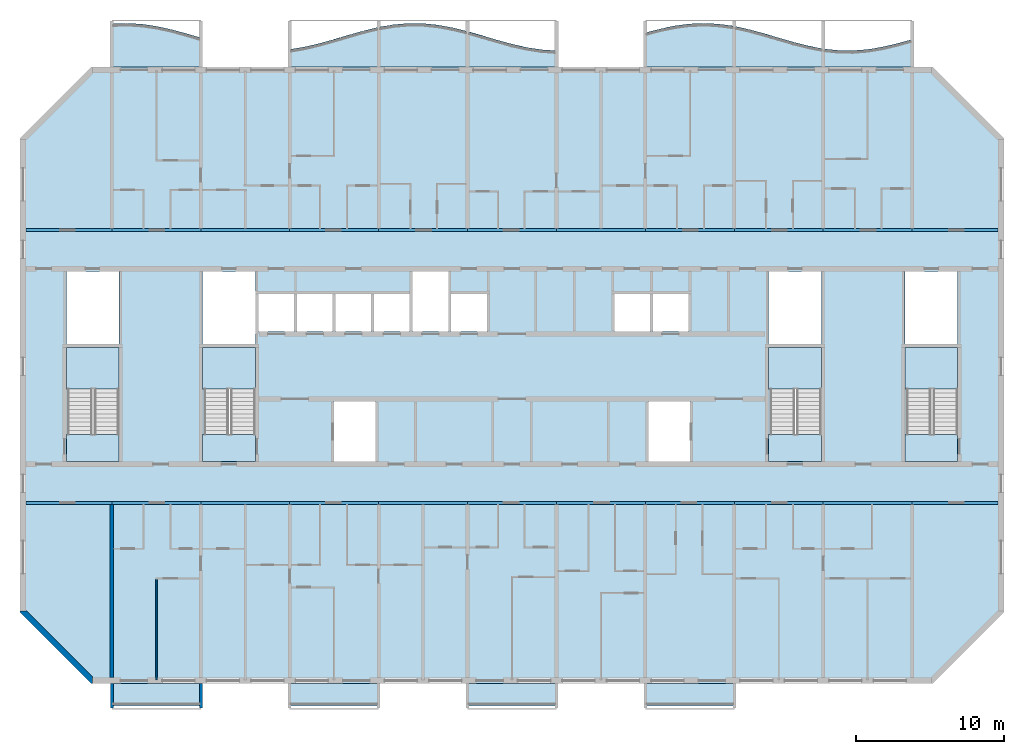
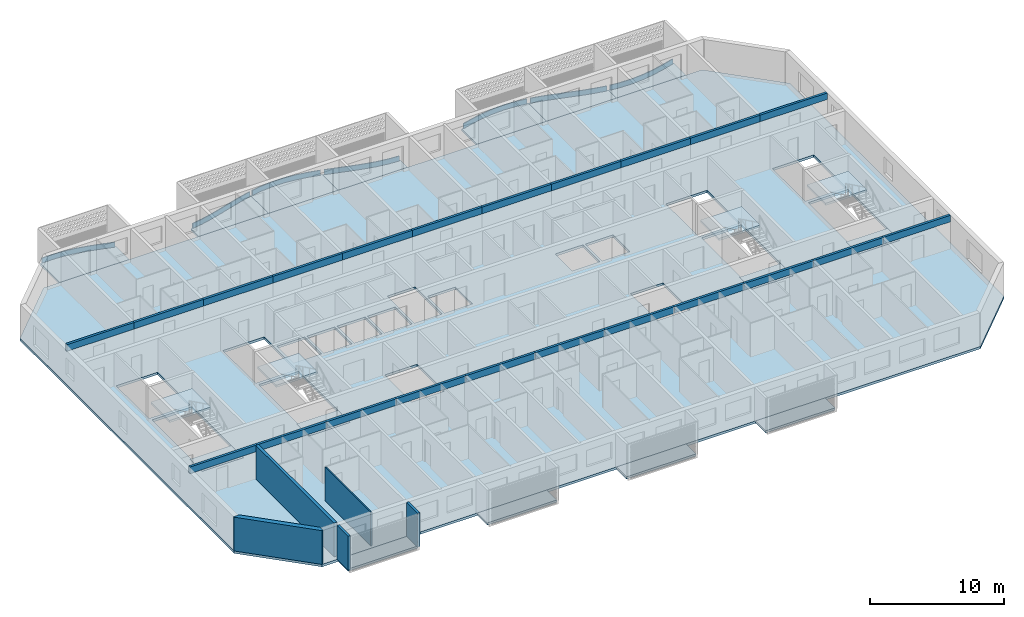
# One storey, part 1 of 29: 22 beams, 20 slabs, 7 plates, 5 walls, 4 elements without a shape of their own.
"""IFC4 building model written with IfcOpenShell, lengths in metres."""

import ifcopenshell
import ifcopenshell.guid

model = None  # the IFC model being written
_history = None  # IfcOwnerHistory: only IFC2X3 demands one
_inside = {}  # id of a spatial element -> (the spatial element, [elements in it])
_under = {}  # id of a project, library or spatial element -> (it, [spatial elements below it])
_declared = {}  # id of a project -> (the project, [libraries it declares])
_typed = {}  # id of a type object -> (the type object, [elements of that type])
_made_of = {}  # id of a material, layer set ... -> (it, [elements and type objects made of it])


def new_model(schema):
    """Start an empty IFC model of exactly this schema.

    Asked for "IFC4X3", IfcOpenShell would pick the latest addendum, in which some entities
    have other attributes; the version numbers below select the first issue.
    IFC2X3 requires an IfcOwnerHistory on every rooted entity: one is made here for all.
    """
    global model, _history
    if schema == "IFC4X3":
        model = ifcopenshell.file(schema_version=(4, 3, 0, 0))
    else:
        model = ifcopenshell.file(schema=schema)
    _inside.clear()
    _under.clear()
    _declared.clear()
    _typed.clear()
    _made_of.clear()
    _history = None
    if model.schema == "IFC2X3":
        org = make("IfcOrganization", Name="unknown")
        user = make(
            "IfcPersonAndOrganization",
            ThePerson=make("IfcPerson", FamilyName="unknown"),
            TheOrganization=org,
        )
        app = make(
            "IfcApplication",
            ApplicationDeveloper=org,
            Version="unknown",
            ApplicationFullName="unknown",
            ApplicationIdentifier="unknown",
        )
        _history = make(
            "IfcOwnerHistory",
            OwningUser=user,
            OwningApplication=app,
            ChangeAction="ADDED",
            CreationDate=0,
        )
    return model


def make(cls, **values):
    """One entity of the class cls with the attributes given. An attribute that is None is left unset."""
    return model.create_entity(
        cls, **{name: value for name, value in values.items() if value is not None}
    )


def rooted(cls, **values):
    """An entity with a GlobalId (a new one), such as an element, a storey or a relation."""
    return make(cls, GlobalId=ifcopenshell.guid.new(), OwnerHistory=_history, **values)


def si_unit(unit_type, name, prefix=None):
    """IfcSIUnit, for example si_unit("LENGTHUNIT", "METRE", prefix="MILLI")."""
    return make("IfcSIUnit", UnitType=unit_type, Prefix=prefix, Name=name)


def assignment(units):
    """IfcUnitAssignment: the units of a project."""
    return None if units is None else make("IfcUnitAssignment", Units=units)


def point(xyz):
    """IfcCartesianPoint."""
    return None if xyz is None else make("IfcCartesianPoint", Coordinates=xyz)


def direction(xyz):
    """IfcDirection."""
    return None if xyz is None else make("IfcDirection", DirectionRatios=xyz)


def frame(location, z_axis=None, x_axis=None):
    """IfcAxis2Placement3D, a coordinate frame: its origin and axes. An axis left out is left unset."""
    return make(
        "IfcAxis2Placement3D",
        Location=point(location),
        Axis=direction(z_axis),
        RefDirection=direction(x_axis),
    )


def frame_2d(location, x_axis=None):
    """IfcAxis2Placement2D, a coordinate frame in the plane: its origin and x axis."""
    return make(
        "IfcAxis2Placement2D", Location=point(location), RefDirection=direction(x_axis)
    )


def origin():
    """The frame at (0, 0, 0) with its axes left unset."""
    return frame((0.0, 0.0, 0.0))


def origin_2d():
    """The frame at (0, 0) in the plane with its x axis left unset."""
    return frame_2d((0.0, 0.0))


def place(relative_to, where):
    """IfcLocalPlacement: puts the frame where relative to a parent placement (None: the world)."""
    return make(
        "IfcLocalPlacement", PlacementRelTo=relative_to, RelativePlacement=where
    )


def context(
    kind, dimensions, precision=None, world=None, true_north=None, identifier=None
):
    """IfcGeometricRepresentationContext, for example the 3D "Model" context."""
    return make(
        "IfcGeometricRepresentationContext",
        ContextIdentifier=identifier,
        ContextType=kind,
        CoordinateSpaceDimension=dimensions,
        Precision=precision,
        WorldCoordinateSystem=world,
        TrueNorth=true_north,
    )


def subcontext(parent, identifier, kind, view, scale=None):
    """IfcGeometricRepresentationSubContext, for example "Body" below "Model"."""
    return make(
        "IfcGeometricRepresentationSubContext",
        ContextIdentifier=identifier,
        ContextType=kind,
        ParentContext=parent,
        TargetScale=scale,
        TargetView=view,
    )


def project(units=None, contexts=None):
    """IfcProject with its units and contexts."""
    return rooted(
        "IfcProject",
        Name="project",
        RepresentationContexts=contexts,
        UnitsInContext=assignment(units),
    )


def spatial(cls, under=None, at=None, **own):
    """A site, building, storey or space (cls), placed at a placement, below another one or the project."""
    s = rooted(cls, ObjectPlacement=at, **own)
    if under is not None:
        _under.setdefault(under.id(), (under, []))[1].append(s)
    return s


def polyline(points):
    """IfcPolyline through the points."""
    return make("IfcPolyline", Points=[point(p) for p in points])


def profile(cls, at=None, kind="AREA", **sizes):
    """A parametric profile (cls). Its sizes go by their IFC names, for example OverallWidth=200.0."""
    return make(cls, ProfileType=kind, Position=at, **sizes)


def rectangle(**sizes):
    """IfcRectangleProfileDef."""
    return profile("IfcRectangleProfileDef", **sizes)


def outline(outer, holes=None, kind="AREA"):
    """IfcArbitraryClosedProfileDef: a profile drawn as a closed curve; with holes, ...WithVoids."""
    if holes is None:
        return make("IfcArbitraryClosedProfileDef", ProfileType=kind, OuterCurve=outer)
    return make(
        "IfcArbitraryProfileDefWithVoids",
        ProfileType=kind,
        OuterCurve=outer,
        InnerCurves=holes,
    )


def extrude(swept, where, along, depth):
    """IfcExtrudedAreaSolid: the profile swept, set in the frame where, extruded along a direction by depth."""
    return make(
        "IfcExtrudedAreaSolid",
        SweptArea=swept,
        Position=where,
        ExtrudedDirection=direction(along),
        Depth=depth,
    )


def shape(context_of_items, identifier, shape_type, items):
    """IfcShapeRepresentation: the items that make up one representation, for example the "Body"."""
    return make(
        "IfcShapeRepresentation",
        ContextOfItems=context_of_items,
        RepresentationIdentifier=identifier,
        RepresentationType=shape_type,
        Items=items,
    )


def source(mapping_origin, context_of_items, identifier, shape_type, items):
    """IfcRepresentationMap: a shape defined once, which mapped items show again and again."""
    return make(
        "IfcRepresentationMap",
        MappingOrigin=mapping_origin,
        MappedRepresentation=shape(context_of_items, identifier, shape_type, items),
    )


def transform(
    local_origin,
    x_axis=None,
    y_axis=None,
    z_axis=None,
    scale=None,
    scale2=None,
    scale3=None,
    uniform=True,
):
    """IfcCartesianTransformationOperator3D, or its non-uniform kind. x_axis, y_axis, z_axis: its Axis1, 2, 3."""
    if uniform:
        return make(
            "IfcCartesianTransformationOperator3D",
            Axis1=direction(x_axis),
            Axis2=direction(y_axis),
            LocalOrigin=point(local_origin),
            Scale=scale,
            Axis3=direction(z_axis),
        )
    return make(
        "IfcCartesianTransformationOperator3DnonUniform",
        Axis1=direction(x_axis),
        Axis2=direction(y_axis),
        LocalOrigin=point(local_origin),
        Scale=scale,
        Axis3=direction(z_axis),
        Scale2=scale2,
        Scale3=scale3,
    )


def mapped(mapping_source, mapping_target):
    """IfcMappedItem: shows the shape of a source again, moved by a transform."""
    return make(
        "IfcMappedItem", MappingSource=mapping_source, MappingTarget=mapping_target
    )


def material(Name=None, Category=None):
    """IfcMaterial."""
    return make("IfcMaterial", Name=Name, Category=Category)


def layer(
    of_material, thickness, ventilated=None, Name=None, Category=None, Priority=None
):
    """IfcMaterialLayer: one layer of a wall or slab, of a material (None: an air gap)."""
    return make(
        "IfcMaterialLayer",
        Material=of_material,
        LayerThickness=thickness,
        IsVentilated=ventilated,
        Name=Name,
        Category=Category,
        Priority=Priority,
    )


def layer_set(layers, Name=None):
    """IfcMaterialLayerSet."""
    return make("IfcMaterialLayerSet", MaterialLayers=layers, LayerSetName=Name)


def material_profile(
    of_material, cross_section, Name=None, Category=None, Priority=None
):
    """IfcMaterialProfile: a cross section and its material."""
    return make(
        "IfcMaterialProfile",
        Name=Name,
        Material=of_material,
        Profile=cross_section,
        Priority=Priority,
        Category=Category,
    )


def profile_set(profiles, Name=None, composite=None):
    """IfcMaterialProfileSet."""
    return make(
        "IfcMaterialProfileSet",
        Name=Name,
        MaterialProfiles=profiles,
        CompositeProfile=composite,
    )


def made_of(thing, what):
    """Note that an element or type object is made of a material, layer set ...; save() writes the relation."""
    if what is not None:
        _made_of.setdefault(what.id(), (what, []))[1].append(thing)
    return thing


def type_object(cls, material=None, **own):
    """A type object (cls), such as IfcWallType, which elements share."""
    return made_of(rooted(cls, **own), material)


def element(
    cls,
    number,
    at=None,
    inside=None,
    cuts=None,
    type_object=None,
    material=None,
    context=None,
    identifier="Body",
    shape_type=None,
    held_by="IfcProductDefinitionShape",
    body=None,
    shapes=None,
    **own,
):
    """One element of the class cls, such as IfcWall. Its Tag is "e" and its number.

    at: its placement. inside: the storey or other place that contains it. cuts: it is an
    opening in that element (IfcRelVoidsElement). A single representation is given by context,
    identifier, shape_type and body (its items); several are given by shapes. held_by: the class
    of the entity that holds the representations. save() writes the other relations.
    """
    e = rooted(cls, Tag="e%d" % number, ObjectPlacement=at, **own)
    if body is not None:
        shapes = [shape(context, identifier, shape_type, body)]
    if shapes is not None:
        e.Representation = make(held_by, Representations=shapes)
    if inside is not None:
        _inside.setdefault(inside.id(), (inside, []))[1].append(e)
    if cuts is not None:
        rooted(
            "IfcRelVoidsElement", RelatingBuildingElement=cuts, RelatedOpeningElement=e
        )
    if type_object is not None:
        _typed.setdefault(type_object.id(), (type_object, []))[1].append(e)
    return made_of(e, material)


def aggregate(whole, parts):
    """IfcRelAggregates: a whole, such as a stair, and the parts it consists of."""
    return rooted("IfcRelAggregates", RelatingObject=whole, RelatedObjects=parts)


def save(model, path):
    """Write the relations noted so far, then the file.

    IfcRelAggregates (storeys below a building ...), IfcRelContainedInSpatialStructure (elements
    in a storey), IfcRelDefinesByType, IfcRelAssociatesMaterial and IfcRelDeclares: one each for
    every whole, place, type object, material and project.
    """
    for whole, parts in _under.values():
        aggregate(whole, parts)
    for where, things in _inside.values():
        rooted(
            "IfcRelContainedInSpatialStructure",
            RelatedElements=things,
            RelatingStructure=where,
        )
    for kind, things in _typed.values():
        rooted("IfcRelDefinesByType", RelatedObjects=things, RelatingType=kind)
    for what, things in _made_of.values():
        rooted("IfcRelAssociatesMaterial", RelatedObjects=things, RelatingMaterial=what)
    for by, libraries in _declared.values():
        rooted("IfcRelDeclares", RelatingContext=by, RelatedDefinitions=libraries)
    model.write(path)


model = new_model("IFC4")

# Units and contexts
model_context = context("Model", 3, precision=1e-05, world=origin(), true_north=direction((0.0, 1.0)))
body_context = subcontext(model_context, "Body", "Model", "MODEL_VIEW")
ifc_project = project(units=[si_unit("LENGTHUNIT", "METRE"), si_unit("AREAUNIT", "SQUARE_METRE"), si_unit("VOLUMEUNIT", "CUBIC_METRE"), si_unit("PLANEANGLEUNIT", "RADIAN"), si_unit("MASSUNIT", "GRAM", prefix="KILO")], contexts=[model_context])

# Site, building, storey
site_placement = place(None, origin())
site = spatial("IfcSite", under=ifc_project, at=site_placement, CompositionType="ELEMENT")
building_placement = place(site_placement, origin())
building = spatial("IfcBuilding", under=site, at=building_placement, Name="Poui Terraces", CompositionType="ELEMENT")
storey_placement = place(building_placement, frame((0.0, 0.0, 237.89990234375)))
storey = spatial("IfcBuildingStorey", under=building, at=storey_placement, Name="L66", CompositionType="ELEMENT", Elevation=237.89990234375)

# Beams
ifc_material_1 = material(Name="Concrete 50 MPa", Category="concrete")
ifc_material_profile = material_profile(ifc_material_1, rectangle(XDim=0.199951171875, YDim=0.60009765625, at=origin_2d()), Name="RC 200x600")
ifc_profile_set = profile_set([ifc_material_profile], Name="Concrete 50 MPa")
beam_type = type_object("IfcBeamType", Name="COUPLING BEAM 200x600 50MPa", PredefinedType="BEAM", material=ifc_profile_set)
shared_shape_1 = source(origin(), body_context, "Body", "SweptSolid", [
    extrude(rectangle(XDim=0.199951171875, YDim=0.60009765625, at=origin_2d()), origin(), (0.0, 0.0, 1.0), 5.800048828125),
])
for number, where, z_axis, x_axis, name in (
    (1, (18.199951171875, 12.0, 2.780029296875), (1.0, 0.0, 0.0), (0.0, 1.0, 0.0), "COUPLING BEAM LINE B BAY 1"),
    (2, (78.0, 12.0, 2.780029296875), (1.0, 0.0, 0.0), (0.0, 1.0, 0.0), "COUPLING BEAM LINE B BAY 11"),
    (3, (18.199951171875, 30.39990234375, 2.780029296875), (1.0, 0.0, 0.0), (0.0, 1.0, 0.0), "COUPLING BEAM LINE E BAY 1"),
    (4, (78.0, 30.39990234375, 2.780029296875), (1.0, 0.0, 0.0), (0.0, 1.0, 0.0), "COUPLING BEAM LINE E BAY 11"),
):
    element("IfcBeam", number, at=place(storey_placement, frame(where, z_axis=z_axis, x_axis=x_axis)), inside=storey, type_object=beam_type, Name=name, PredefinedType="BEAM", context=body_context, shape_type="MappedRepresentation", body=[
        mapped(shared_shape_1, transform((0.0, 0.0, 0.0))),
    ])
shared_shape_2 = source(origin(), body_context, "Body", "SweptSolid", [
    extrude(rectangle(XDim=0.199951171875, YDim=0.60009765625, at=origin_2d()), origin(), (0.0, 0.0, 1.0), 6.0),
])
for number, where, z_axis, x_axis, name in (
    (5, (24.0, 12.0, 2.780029296875), (1.0, 0.0, 0.0), (0.0, 1.0, 0.0), "COUPLING BEAM LINE B BAY 2"),
    (6, (30.0, 12.0, 2.780029296875), (1.0, 0.0, 0.0), (0.0, 1.0, 0.0), "COUPLING BEAM LINE B BAY 3"),
    (7, (36.0, 12.0, 2.780029296875), (1.0, 0.0, 0.0), (0.0, 1.0, 0.0), "COUPLING BEAM LINE B BAY 4"),
    (8, (42.0, 12.0, 2.780029296875), (1.0, 0.0, 0.0), (0.0, 1.0, 0.0), "COUPLING BEAM LINE B BAY 5"),
    (9, (48.0, 12.0, 2.780029296875), (1.0, 0.0, 0.0), (0.0, 1.0, 0.0), "COUPLING BEAM LINE B BAY 6"),
    (10, (54.0, 12.0, 2.780029296875), (1.0, 0.0, 0.0), (0.0, 1.0, 0.0), "COUPLING BEAM LINE B BAY 7"),
    (11, (60.0, 12.0, 2.780029296875), (1.0, 0.0, 0.0), (0.0, 1.0, 0.0), "COUPLING BEAM LINE B BAY 8"),
    (12, (66.0, 12.0, 2.780029296875), (1.0, 0.0, 0.0), (0.0, 1.0, 0.0), "COUPLING BEAM LINE B BAY 9"),
    (13, (72.0, 12.0, 2.780029296875), (1.0, 0.0, 0.0), (0.0, 1.0, 0.0), "COUPLING BEAM LINE B BAY 10"),
    (14, (24.0, 30.39990234375, 2.780029296875), (1.0, 0.0, 0.0), (0.0, 1.0, 0.0), "COUPLING BEAM LINE E BAY 2"),
    (15, (30.0, 30.39990234375, 2.780029296875), (1.0, 0.0, 0.0), (0.0, 1.0, 0.0), "COUPLING BEAM LINE E BAY 3"),
    (16, (36.0, 30.39990234375, 2.780029296875), (1.0, 0.0, 0.0), (0.0, 1.0, 0.0), "COUPLING BEAM LINE E BAY 4"),
    (17, (42.0, 30.39990234375, 2.780029296875), (1.0, 0.0, 0.0), (0.0, 1.0, 0.0), "COUPLING BEAM LINE E BAY 5"),
    (18, (48.0, 30.39990234375, 2.780029296875), (1.0, 0.0, 0.0), (0.0, 1.0, 0.0), "COUPLING BEAM LINE E BAY 6"),
    (19, (54.0, 30.39990234375, 2.780029296875), (1.0, 0.0, 0.0), (0.0, 1.0, 0.0), "COUPLING BEAM LINE E BAY 7"),
    (20, (60.0, 30.39990234375, 2.780029296875), (1.0, 0.0, 0.0), (0.0, 1.0, 0.0), "COUPLING BEAM LINE E BAY 8"),
    (21, (66.0, 30.39990234375, 2.780029296875), (1.0, 0.0, 0.0), (0.0, 1.0, 0.0), "COUPLING BEAM LINE E BAY 9"),
    (22, (72.0, 30.39990234375, 2.780029296875), (1.0, 0.0, 0.0), (0.0, 1.0, 0.0), "COUPLING BEAM LINE E BAY 10"),
):
    element("IfcBeam", number, at=place(storey_placement, frame(where, z_axis=z_axis, x_axis=x_axis)), inside=storey, type_object=beam_type, Name=name, PredefinedType="BEAM", context=body_context, shape_type="MappedRepresentation", body=[
        mapped(shared_shape_2, transform((0.0, 0.0, 0.0))),
    ])

# Slabs
ifc_material_2 = material(Name="Precast concrete 40 MPa", Category="concrete")
ifc_layer_1 = layer(ifc_material_2, 0.199951171875)
ifc_layer_set_1 = layer_set([ifc_layer_1], Name="Precast concrete 40 MPa")
slab_type_1 = type_object("IfcSlabType", Name="BALCONY SLAB 200", PredefinedType="FLOOR", material=ifc_layer_set_1)
slab_1_placement = place(storey_placement, frame((0.0, 0.0, -0.199951171875)))
element("IfcSlab", 23, at=slab_1_placement, inside=storey, type_object=slab_type_1, Name="BALCONY SLAB", PredefinedType="FLOOR", context=body_context, shape_type="SweptSolid", body=[
    extrude(outline(polyline([(24.0, 41.39990234375), (30.0, 41.39990234375), (30.0, 43.363037109375), (29.0, 43.658447265625), (28.0, 43.9296875), (27.0, 44.1494140625), (26.0, 44.294189453125), (25.0, 44.349609375), (24.0, 44.309814453125), (24.0, 41.39990234375)])), origin(), (0.0, 0.0, 1.0), 0.199951171875),
])
slab_2_placement = place(storey_placement, frame((0.0, 0.0, -0.199951171875)))
element("IfcSlab", 24, at=slab_2_placement, inside=storey, type_object=slab_type_1, Name="BALCONY SLAB", PredefinedType="FLOOR", context=body_context, shape_type="SweptSolid", body=[
    extrude(outline(polyline([(36.0, 41.39990234375), (42.0, 41.39990234375), (42.0, 44.08349609375), (41.0, 43.84375), (40.0, 43.56103515625), (39.0, 43.264404296875), (38.0, 42.984130859375), (37.0, 42.749267578125), (36.0, 42.583984375), (36.0, 41.39990234375)])), origin(), (0.0, 0.0, 1.0), 0.199951171875),
])
slab_3_placement = place(storey_placement, frame((0.0, 0.0, -0.199951171875)))
element("IfcSlab", 25, at=slab_3_placement, inside=storey, type_object=slab_type_1, Name="BALCONY SLAB", PredefinedType="FLOOR", context=body_context, shape_type="SweptSolid", body=[
    extrude(outline(polyline([(42.0, 41.39990234375), (48.0, 41.39990234375), (48.0, 43.799072265625), (47.0, 44.047607421875), (46.0, 44.232177734375), (45.0, 44.333740234375), (44.0, 44.341796875), (43.0, 44.25537109375), (42.0, 44.08349609375), (42.0, 41.39990234375)])), origin(), (0.0, 0.0, 1.0), 0.199951171875),
])
slab_4_placement = place(storey_placement, frame((0.0, 0.0, -0.199951171875)))
element("IfcSlab", 26, at=slab_4_placement, inside=storey, type_object=slab_type_1, Name="BALCONY SLAB", PredefinedType="FLOOR", context=body_context, shape_type="SweptSolid", body=[
    extrude(outline(polyline([(48.0, 41.39990234375), (54.0, 41.39990234375), (54.0, 42.501220703125), (53.0, 42.564697265625), (52.0, 42.71630859375), (51.0, 42.941162109375), (50.0, 43.2158203125), (49.0, 43.51171875), (48.0, 43.799072265625), (48.0, 41.39990234375)])), origin(), (0.0, 0.0, 1.0), 0.199951171875),
])
slab_5_placement = place(storey_placement, frame((0.0, 0.0, -0.199951171875)))
element("IfcSlab", 27, at=slab_5_placement, inside=storey, type_object=slab_type_1, Name="BALCONY SLAB", PredefinedType="FLOOR", context=body_context, shape_type="SweptSolid", body=[
    extrude(outline(polyline([(60.0, 41.39990234375), (66.0, 41.39990234375), (66.0, 44.1494140625), (65.0, 44.294189453125), (64.0, 44.349609375), (63.0, 44.309814453125), (62.0, 44.17919921875), (61.0, 43.970703125), (60.0, 43.7060546875), (60.0, 41.39990234375)])), origin(), (0.0, 0.0, 1.0), 0.199951171875),
])
slab_6_placement = place(storey_placement, frame((0.0, 0.0, -0.199951171875)))
element("IfcSlab", 28, at=slab_6_placement, inside=storey, type_object=slab_type_1, Name="BALCONY SLAB", PredefinedType="FLOOR", context=body_context, shape_type="SweptSolid", body=[
    extrude(outline(polyline([(66.0, 41.39990234375), (72.0, 41.39990234375), (72.0, 42.630126953125), (71.0, 42.821044921875), (70.0, 43.073974609375), (69.0, 43.363037109375), (68.0, 43.658447265625), (67.0, 43.9296875), (66.0, 44.1494140625), (66.0, 41.39990234375)])), origin(), (0.0, 0.0, 1.0), 0.199951171875),
])
slab_7_placement = place(storey_placement, frame((0.0, 0.0, -0.199951171875)))
element("IfcSlab", 29, at=slab_7_placement, inside=storey, type_object=slab_type_1, Name="BALCONY SLAB", PredefinedType="FLOOR", context=body_context, shape_type="SweptSolid", body=[
    extrude(outline(polyline([(72.0, 41.39990234375), (78.0, 41.39990234375), (78.0, 43.264404296875), (77.0, 42.984130859375), (76.0, 42.749267578125), (75.0, 42.583984375), (74.0, 42.50537109375), (73.0, 42.521240234375), (72.0, 42.630126953125), (72.0, 41.39990234375)])), origin(), (0.0, 0.0, 1.0), 0.199951171875),
])

# Stair, slabs
stair_type = type_object("IfcStairType", Name="EXIT STAIR 1650 50 MPA", PredefinedType="HALF_TURN_STAIR", material=ifc_material_1)
stair_1_placement = place(storey_placement, origin())
stair_1 = element("IfcStair", 30, at=stair_1_placement, inside=storey, type_object=stair_type, Name="L66 CORE STAIR EAST", PredefinedType="HALF_TURN_STAIR")
ifc_layer_2 = layer(ifc_material_1, 0.199951171875)
ifc_layer_set_2 = layer_set([ifc_layer_2], Name="Concrete 50 MPa")
slab_type_2 = type_object("IfcSlabType", Name="STAIR LANDING 200 50 MPA", PredefinedType="LANDING", material=ifc_layer_set_2)
slab_8_placement = place(storey_placement, frame((0.0, 0.0, 1.449951171875)))
slab_8 = element("IfcSlab", 31, at=slab_8_placement, type_object=slab_type_2, Name="ST-CE landing 1", PredefinedType="LANDING", context=body_context, shape_type="SweptSolid", body=[
    extrude(outline(polyline([(68.324951171875, 19.679931640625), (71.875, 19.679931640625), (71.875, 22.47509765625), (68.324951171875, 22.47509765625), (68.324951171875, 19.679931640625)])), origin(), (0.0, 0.0, 1.0), 0.2001953125),
])
slab_9_placement = place(storey_placement, frame((0.0, 0.0, -0.199951171875)))
slab_9 = element("IfcSlab", 32, at=slab_9_placement, type_object=slab_type_2, Name="ST-CE landing 2", PredefinedType="LANDING", context=body_context, shape_type="SweptSolid", body=[
    extrude(outline(polyline([(68.324951171875, 14.77490234375), (71.875, 14.77490234375), (71.875, 16.60009765625), (68.324951171875, 16.60009765625), (68.324951171875, 14.77490234375)])), origin(), (0.0, 0.0, 1.0), 0.199951171875),
])
aggregate(stair_1, [slab_8, slab_9])

stair_2_placement = place(storey_placement, origin())
stair_2 = element("IfcStair", 33, at=stair_2_placement, inside=storey, type_object=stair_type, Name="L66 CORE STAIR WEST", PredefinedType="HALF_TURN_STAIR")
slab_10_placement = place(storey_placement, frame((0.0, 0.0, 1.449951171875)))
slab_10 = element("IfcSlab", 34, at=slab_10_placement, type_object=slab_type_2, Name="ST-CW landing 1", PredefinedType="LANDING", context=body_context, shape_type="SweptSolid", body=[
    extrude(outline(polyline([(30.125, 19.679931640625), (33.675048828125, 19.679931640625), (33.675048828125, 22.47509765625), (30.125, 22.47509765625), (30.125, 19.679931640625)])), origin(), (0.0, 0.0, 1.0), 0.2001953125),
])
slab_11_placement = place(storey_placement, frame((0.0, 0.0, -0.199951171875)))
slab_11 = element("IfcSlab", 35, at=slab_11_placement, type_object=slab_type_2, Name="ST-CW landing 2", PredefinedType="LANDING", context=body_context, shape_type="SweptSolid", body=[
    extrude(outline(polyline([(30.125, 14.77490234375), (33.675048828125, 14.77490234375), (33.675048828125, 16.60009765625), (30.125, 16.60009765625), (30.125, 14.77490234375)])), origin(), (0.0, 0.0, 1.0), 0.199951171875),
])
aggregate(stair_2, [slab_10, slab_11])

stair_3_placement = place(storey_placement, origin())
stair_3 = element("IfcStair", 36, at=stair_3_placement, inside=storey, type_object=stair_type, Name="L66 TIP STAIR EAST", PredefinedType="HALF_TURN_STAIR")
slab_12_placement = place(storey_placement, frame((0.0, 0.0, 1.449951171875)))
slab_12 = element("IfcSlab", 37, at=slab_12_placement, type_object=slab_type_2, Name="ST-E landing 1", PredefinedType="LANDING", context=body_context, shape_type="SweptSolid", body=[
    extrude(outline(polyline([(77.52490234375, 19.679931640625), (81.074951171875, 19.679931640625), (81.074951171875, 22.47509765625), (77.52490234375, 22.47509765625), (77.52490234375, 19.679931640625)])), origin(), (0.0, 0.0, 1.0), 0.2001953125),
])
slab_13_placement = place(storey_placement, frame((0.0, 0.0, -0.199951171875)))
slab_13 = element("IfcSlab", 38, at=slab_13_placement, type_object=slab_type_2, Name="ST-E landing 2", PredefinedType="LANDING", context=body_context, shape_type="SweptSolid", body=[
    extrude(outline(polyline([(77.52490234375, 14.77490234375), (81.074951171875, 14.77490234375), (81.074951171875, 16.60009765625), (77.52490234375, 16.60009765625), (77.52490234375, 14.77490234375)])), origin(), (0.0, 0.0, 1.0), 0.199951171875),
])
aggregate(stair_3, [slab_12, slab_13])

stair_4_placement = place(storey_placement, origin())
stair_4 = element("IfcStair", 39, at=stair_4_placement, inside=storey, type_object=stair_type, Name="L66 TIP STAIR WEST", PredefinedType="HALF_TURN_STAIR")
slab_14_placement = place(storey_placement, frame((0.0, 0.0, 1.449951171875)))
slab_14 = element("IfcSlab", 40, at=slab_14_placement, type_object=slab_type_2, Name="ST-W landing 1", PredefinedType="LANDING", context=body_context, shape_type="SweptSolid", body=[
    extrude(outline(polyline([(20.925048828125, 19.679931640625), (24.47509765625, 19.679931640625), (24.47509765625, 22.47509765625), (20.925048828125, 22.47509765625), (20.925048828125, 19.679931640625)])), origin(), (0.0, 0.0, 1.0), 0.2001953125),
])
slab_15_placement = place(storey_placement, frame((0.0, 0.0, -0.199951171875)))
slab_15 = element("IfcSlab", 41, at=slab_15_placement, type_object=slab_type_2, Name="ST-W landing 2", PredefinedType="LANDING", context=body_context, shape_type="SweptSolid", body=[
    extrude(outline(polyline([(20.925048828125, 14.77490234375), (24.47509765625, 14.77490234375), (24.47509765625, 16.60009765625), (20.925048828125, 16.60009765625), (20.925048828125, 14.77490234375)])), origin(), (0.0, 0.0, 1.0), 0.199951171875),
])
aggregate(stair_4, [slab_14, slab_15])

# Plates
ifc_layer_3 = layer(ifc_material_2, 0.080078125)
ifc_layer_set_3 = layer_set([ifc_layer_3], Name="Precast concrete 40 MPa")
plate_type = type_object("IfcPlateType", Name="SUNSHADE UPSTAND 80", PredefinedType="SHEET", material=ifc_layer_set_3)
plate_1_placement = place(storey_placement, origin())
element("IfcPlate", 42, at=plate_1_placement, inside=storey, type_object=plate_type, Name="SUNSHADE UPSTAND", PredefinedType="SHEET", context=body_context, shape_type="SweptSolid", body=[
    extrude(outline(polyline([(25.00048828125, 44.3447265625), (24.15576171875, 44.316162109375), (24.123779296875, 44.31494140625), (24.12646484375, 44.235107421875), (24.99951171875, 44.2646484375), (25.99609375, 44.20947265625), (26.992919921875, 44.06494140625), (27.990478515625, 43.845947265625), (28.989013671875, 43.574951171875), (29.86376953125, 43.31689453125), (29.88623046875, 43.3935546875), (29.010986328125, 43.65185546875), (28.009521484375, 43.923583984375), (27.007080078125, 44.143798828125), (26.00390625, 44.2890625), (25.00048828125, 44.3447265625)])), origin(), (0.0, 0.0, 1.0), 0.4501953125),
])
plate_2_placement = place(storey_placement, origin())
element("IfcPlate", 43, at=plate_2_placement, inside=storey, type_object=plate_type, Name="SUNSHADE UPSTAND", PredefinedType="SHEET", context=body_context, shape_type="SweptSolid", body=[
    extrude(outline(polyline([(36.9921875, 42.74365234375), (36.118408203125, 42.5947265625), (36.131591796875, 42.515869140625), (37.0078125, 42.6650390625), (38.010009765625, 42.900390625), (39.010986328125, 43.180908203125), (40.010986328125, 43.477783203125), (41.01025390625, 43.760009765625), (41.884521484375, 43.972900390625), (41.865478515625, 44.050537109375), (40.98974609375, 43.83740234375), (39.989013671875, 43.554443359375), (38.989013671875, 43.2578125), (37.989990234375, 42.977783203125), (36.9921875, 42.74365234375)])), origin(), (0.0, 0.0, 1.0), 0.4501953125),
])
plate_3_placement = place(storey_placement, origin())
element("IfcPlate", 44, at=plate_3_placement, inside=storey, type_object=plate_type, Name="SUNSHADE UPSTAND", PredefinedType="SHEET", context=body_context, shape_type="SweptSolid", body=[
    extrude(outline(polyline([(42.9951171875, 44.25), (42.118408203125, 44.103515625), (42.131591796875, 44.024658203125), (43.0048828125, 44.170654296875), (44.001708984375, 44.256591796875), (44.997802734375, 44.248779296875), (45.994384765625, 44.147705078125), (46.99169921875, 43.96337890625), (47.865478515625, 43.748779296875), (47.884521484375, 43.82666015625), (47.00830078125, 44.041748046875), (46.005615234375, 44.226806640625), (45.002197265625, 44.32861328125), (43.998291015625, 44.336669921875), (42.9951171875, 44.25)])), origin(), (0.0, 0.0, 1.0), 0.4501953125),
])
plate_4_placement = place(storey_placement, origin())
element("IfcPlate", 45, at=plate_4_placement, inside=storey, type_object=plate_type, Name="SUNSHADE UPSTAND", PredefinedType="SHEET", context=body_context, shape_type="SweptSolid", body=[
    extrude(outline(polyline([(49.01123046875, 43.505126953125), (48.135986328125, 43.758056640625), (48.114013671875, 43.68115234375), (48.98876953125, 43.428466796875), (49.989013671875, 43.132080078125), (50.990234375, 42.857421875), (51.99267578125, 42.632080078125), (52.99560546875, 42.479736328125), (53.872314453125, 42.419189453125), (53.877685546875, 42.4990234375), (53.00439453125, 42.559326171875), (52.00732421875, 42.710693359375), (51.009765625, 42.93505859375), (50.010986328125, 43.209228515625), (49.01123046875, 43.505126953125)])), origin(), (0.0, 0.0, 1.0), 0.4501953125),
])
plate_5_placement = place(storey_placement, origin())
element("IfcPlate", 46, at=plate_5_placement, inside=storey, type_object=plate_type, Name="SUNSHADE UPSTAND", PredefinedType="SHEET", context=body_context, shape_type="SweptSolid", body=[
    extrude(outline(polyline([(60.99072265625, 43.964599609375), (60.114990234375, 43.735107421875), (60.135009765625, 43.65771484375), (61.00927734375, 43.88671875), (62.006591796875, 44.0947265625), (63.00341796875, 44.22509765625), (63.999755859375, 44.2646484375), (64.99609375, 44.20947265625), (65.869384765625, 44.08740234375), (65.880615234375, 44.16650390625), (65.00390625, 44.2890625), (64.000244140625, 44.3447265625), (62.99658203125, 44.3046875), (61.993408203125, 44.173583984375), (60.99072265625, 43.964599609375)])), origin(), (0.0, 0.0, 1.0), 0.4501953125),
])
plate_6_placement = place(storey_placement, origin())
element("IfcPlate", 47, at=plate_6_placement, inside=storey, type_object=plate_type, Name="SUNSHADE UPSTAND", PredefinedType="SHEET", context=body_context, shape_type="SweptSolid", body=[
    extrude(outline(polyline([(67.009521484375, 43.923583984375), (66.1337890625, 44.11962890625), (66.1162109375, 44.04150390625), (66.990478515625, 43.845947265625), (67.989013671875, 43.574951171875), (68.98876953125, 43.279541015625), (69.989501953125, 42.990234375), (70.9912109375, 42.73681640625), (71.8671875, 42.565673828125), (71.8828125, 42.644287109375), (71.0087890625, 42.81494140625), (70.010498046875, 43.0673828125), (69.01123046875, 43.356201171875), (68.010986328125, 43.65185546875), (67.009521484375, 43.923583984375)])), origin(), (0.0, 0.0, 1.0), 0.4501953125),
])
plate_7_placement = place(storey_placement, origin())
element("IfcPlate", 48, at=plate_7_placement, inside=storey, type_object=plate_type, Name="SUNSHADE UPSTAND", PredefinedType="SHEET", context=body_context, shape_type="SweptSolid", body=[
    extrude(outline(polyline([(73.00244140625, 42.51611328125), (72.129150390625, 42.606689453125), (72.120849609375, 42.527099609375), (72.99755859375, 42.436279296875), (74.001220703125, 42.42041015625), (75.0048828125, 42.499267578125), (76.0078125, 42.6650390625), (77.010009765625, 42.900390625), (77.8857421875, 43.144287109375), (77.8642578125, 43.221435546875), (76.989990234375, 42.977783203125), (75.9921875, 42.74365234375), (74.9951171875, 42.578857421875), (73.998779296875, 42.50048828125), (73.00244140625, 42.51611328125)])), origin(), (0.0, 0.0, 1.0), 0.4501953125),
])

# Slabs
ifc_material_3 = material(Name="Concrete 40 MPa", Category="concrete")
ifc_layer_4 = layer(ifc_material_3, 0.219970703125)
ifc_layer_set_4 = layer_set([ifc_layer_4], Name="Concrete 40 MPa")
slab_type_3 = type_object("IfcSlabType", Name="FLOOR SLAB 220", PredefinedType="FLOOR", material=ifc_layer_set_4)
shared_shape_3 = source(origin(), body_context, "Body", "SweptSolid", [
    extrude(outline(polyline([(0.0, 0.0), (4.800048828125, -4.800048828125), (61.599853515625, -4.800048828125), (66.39990234375, 0.0), (66.39990234375, 32.0), (61.599853515625, 36.7998046875), (4.800048828125, 36.7998046875), (0.0, 32.0), (0.0, 0.0)]), holes=[polyline([(21.199951171875, 10.1748046875), (21.199951171875, 14.224853515625), (24.0, 14.224853515625), (24.0, 10.1748046875), (21.199951171875, 10.1748046875)]), polyline([(3.224853515625, 17.849853515625), (6.675048828125, 17.849853515625), (6.675048828125, 12.0), (6.675048828125, 10.1748046875), (3.125, 10.1748046875), (3.125, 12.0), (3.224853515625, 12.0), (3.224853515625, 17.849853515625)]), polyline([(12.425048828125, 17.849853515625), (15.875, 17.849853515625), (15.875, 12.0), (15.875, 10.1748046875), (12.324951171875, 10.1748046875), (12.324951171875, 12.0), (12.425048828125, 12.0), (12.425048828125, 17.849853515625)]), polyline([(16.099853515625, 18.974853515625), (16.099853515625, 21.5), (18.5, 21.5), (18.5, 18.974853515625), (16.099853515625, 18.974853515625)]), polyline([(18.699951171875, 18.974853515625), (18.699951171875, 21.5), (21.099853515625, 21.5), (21.099853515625, 18.974853515625), (18.699951171875, 18.974853515625)]), polyline([(21.300048828125, 18.974853515625), (21.300048828125, 21.5), (23.699951171875, 21.5), (23.699951171875, 18.974853515625), (21.300048828125, 18.974853515625)]), polyline([(23.89990234375, 18.974853515625), (23.89990234375, 21.5), (26.300048828125, 21.5), (26.300048828125, 18.974853515625), (23.89990234375, 18.974853515625)]), polyline([(3.125, 23.02490234375), (6.675048828125, 23.02490234375), (6.675048828125, 18.125), (3.125, 18.125), (3.125, 23.02490234375)]), polyline([(12.324951171875, 23.02490234375), (15.875, 23.02490234375), (15.875, 18.125), (12.324951171875, 18.125), (12.324951171875, 23.02490234375)]), polyline([(42.39990234375, 10.1748046875), (42.39990234375, 14.224853515625), (45.199951171875, 14.224853515625), (45.199951171875, 10.1748046875), (42.39990234375, 10.1748046875)]), polyline([(50.625, 17.849853515625), (54.074951171875, 17.849853515625), (54.074951171875, 12.0), (54.074951171875, 10.1748046875), (50.52490234375, 10.1748046875), (50.52490234375, 12.0), (50.625, 12.0), (50.625, 17.849853515625)]), polyline([(59.824951171875, 17.849853515625), (63.27490234375, 17.849853515625), (63.27490234375, 12.0), (63.27490234375, 10.1748046875), (59.724853515625, 10.1748046875), (59.724853515625, 12.0), (59.824951171875, 12.0), (59.824951171875, 17.849853515625)]), polyline([(29.099853515625, 18.974853515625), (29.099853515625, 21.5), (31.5, 21.5), (31.5, 18.974853515625), (29.099853515625, 18.974853515625)]), polyline([(40.099853515625, 18.974853515625), (40.099853515625, 21.5), (42.5, 21.5), (42.5, 18.974853515625), (40.099853515625, 18.974853515625)]), polyline([(42.699951171875, 18.974853515625), (42.699951171875, 21.5), (45.099853515625, 21.5), (45.099853515625, 18.974853515625), (42.699951171875, 18.974853515625)]), polyline([(50.52490234375, 18.125), (50.52490234375, 23.02490234375), (54.074951171875, 23.02490234375), (54.074951171875, 18.125), (50.52490234375, 18.125)]), polyline([(59.724853515625, 23.02490234375), (63.27490234375, 23.02490234375), (63.27490234375, 18.125), (59.724853515625, 18.125), (59.724853515625, 23.02490234375)]), polyline([(26.5, 23.02490234375), (28.89990234375, 23.02490234375), (28.89990234375, 18.974853515625), (26.5, 18.974853515625), (26.5, 23.02490234375)])]), origin(), (0.0, 0.0, 1.0), 0.219970703125),
])
slab_16_placement = place(storey_placement, frame((17.800048828125, 4.60009765625, -0.219970703125)))
element("IfcSlab", 49, at=slab_16_placement, inside=storey, type_object=slab_type_3, Name="FLOOR SLAB", PredefinedType="FLOOR", context=body_context, shape_type="MappedRepresentation", body=[
    mapped(shared_shape_3, transform((0.0, 0.0, 0.0))),
])
ifc_layer_5 = layer(ifc_material_2, 0.199951171875)
ifc_layer_set_5 = layer_set([ifc_layer_5], Name="Precast concrete 40 MPa")
slab_type_4 = type_object("IfcSlabType", Name="REAR BALCONY SLAB 200", PredefinedType="FLOOR", material=ifc_layer_set_5)
shared_shape_4 = source(origin(), body_context, "Body", "SweptSolid", [
    extrude(outline(polyline([(0.0, 0.0), (6.0, 0.0), (6.0, 1.5), (0.0, 1.5), (0.0, 0.0)])), origin(), (0.0, 0.0, 1.0), 0.199951171875),
])
for number, where, name in (
    (50, (24.0, -1.699951171875, -0.199951171875), "REAR BALCONY SLAB"),
    (51, (36.0, -1.699951171875, -0.199951171875), "REAR BALCONY SLAB"),
    (52, (48.0, -1.699951171875, -0.199951171875), "REAR BALCONY SLAB"),
    (53, (60.0, -1.699951171875, -0.199951171875), "REAR BALCONY SLAB"),
):
    element("IfcSlab", number, at=place(storey_placement, frame(where)), inside=storey, type_object=slab_type_4, Name=name, PredefinedType="FLOOR", context=body_context, shape_type="MappedRepresentation", body=[
        mapped(shared_shape_4, transform((0.0, 0.0, 0.0))),
    ])

# Walls
ifc_layer_6 = layer(ifc_material_1, 0.25)
ifc_layer_set_6 = layer_set([ifc_layer_6], Name="Concrete 50 MPa")
wall_type_1 = type_object("IfcWallType", Name="CROSS WALL 250 50MPa", PredefinedType="SHEAR", material=ifc_layer_set_6)
wall_1_placement = place(storey_placement, frame((24.0, 0.199951171875, 0.0), z_axis=(0.0, 0.0, 1.0), x_axis=(0.0, 1.0, 0.0)))
element("IfcWall", 54, at=wall_1_placement, inside=storey, type_object=wall_type_1, Name="CROSS WALL LINE 5 SOUTH", PredefinedType="SHEAR", context=body_context, shape_type="SweptSolid", body=[
    extrude(rectangle(XDim=11.699951171875, YDim=0.25, at=frame_2d((5.85009765625, 0.0))), origin(), (0.0, 0.0, 1.0), 3.080078125),
])
ifc_material_4 = material(Name="Plasterboard partition")
ifc_layer_7 = layer(ifc_material_4, 0.10009765625)
ifc_layer_set_7 = layer_set([ifc_layer_7], Name="Plasterboard partition")
wall_type_2 = type_object("IfcWallType", Name="FLAT PARTITION 100", PredefinedType="PARTITIONING", material=ifc_layer_set_7)
wall_2_placement = place(storey_placement, frame((27.0, 0.06005859375, 0.0), z_axis=(0.0, 0.0, 1.0), x_axis=(0.0, 1.0, 0.0)))
element("IfcWall", 55, at=wall_2_placement, inside=storey, type_object=wall_type_2, Name="FLAT PARTITION 100", PredefinedType="PARTITIONING", context=body_context, shape_type="SweptSolid", body=[
    extrude(rectangle(XDim=6.7900390625, YDim=0.10009765625, at=frame_2d((3.39501953125, 0.0))), origin(), (0.0, 0.0, 1.0), 3.080078125),
])
ifc_layer_8 = layer(ifc_material_2, 0.39990234375)
ifc_layer_set_8 = layer_set([ifc_layer_8], Name="Precast concrete 40 MPa")
wall_type_3 = type_object("IfcWallType", Name="TERRACOTTA CLAD CHAMFER WALL 400", PredefinedType="STANDARD", material=ifc_layer_set_8)
wall_3_placement = place(storey_placement, origin())
element("IfcWall", 56, at=wall_3_placement, inside=storey, type_object=wall_type_3, Name="CHAMFER WALL CH07", PredefinedType="STANDARD", context=body_context, shape_type="SweptSolid", body=[
    extrude(outline(polyline([(17.800048828125, 4.682861328125), (17.800048828125, 4.60009765625), (22.60009765625, -0.199951171875), (22.682861328125, -0.199951171875), (22.682861328125, 0.28271484375), (18.28271484375, 4.682861328125), (17.800048828125, 4.682861328125)])), origin(), (0.0, 0.0, 1.0), 3.080078125),
])
ifc_layer_9 = layer(ifc_material_2, 0.199951171875)
ifc_layer_set_9 = layer_set([ifc_layer_9], Name="Precast concrete 40 MPa")
wall_type_4 = type_object("IfcWallType", Name="REAR FIN 200", PredefinedType="STANDARD", material=ifc_layer_set_9)
shared_shape_5 = source(origin(), body_context, "Body", "SweptSolid", [
    extrude(outline(polyline([(0.0, 0.0), (0.2001953125, 0.0), (0.2001953125, 1.650146484375), (0.0, 1.650146484375), (0.0, 0.0)])), origin(), (0.0, 0.0, 1.0), 3.10009765625),
])
for number, where, name in (
    (57, (23.89990234375, -1.85009765625, 0.0), "REAR FIN"),
    (58, (29.89990234375, -1.85009765625, 0.0), "REAR FIN"),
):
    element("IfcWall", number, at=place(storey_placement, frame(where)), inside=storey, type_object=wall_type_4, Name=name, PredefinedType="STANDARD", context=body_context, shape_type="MappedRepresentation", body=[
        mapped(shared_shape_5, transform((0.0, 0.0, 0.0))),
    ])

save(model, "model.ifc")
